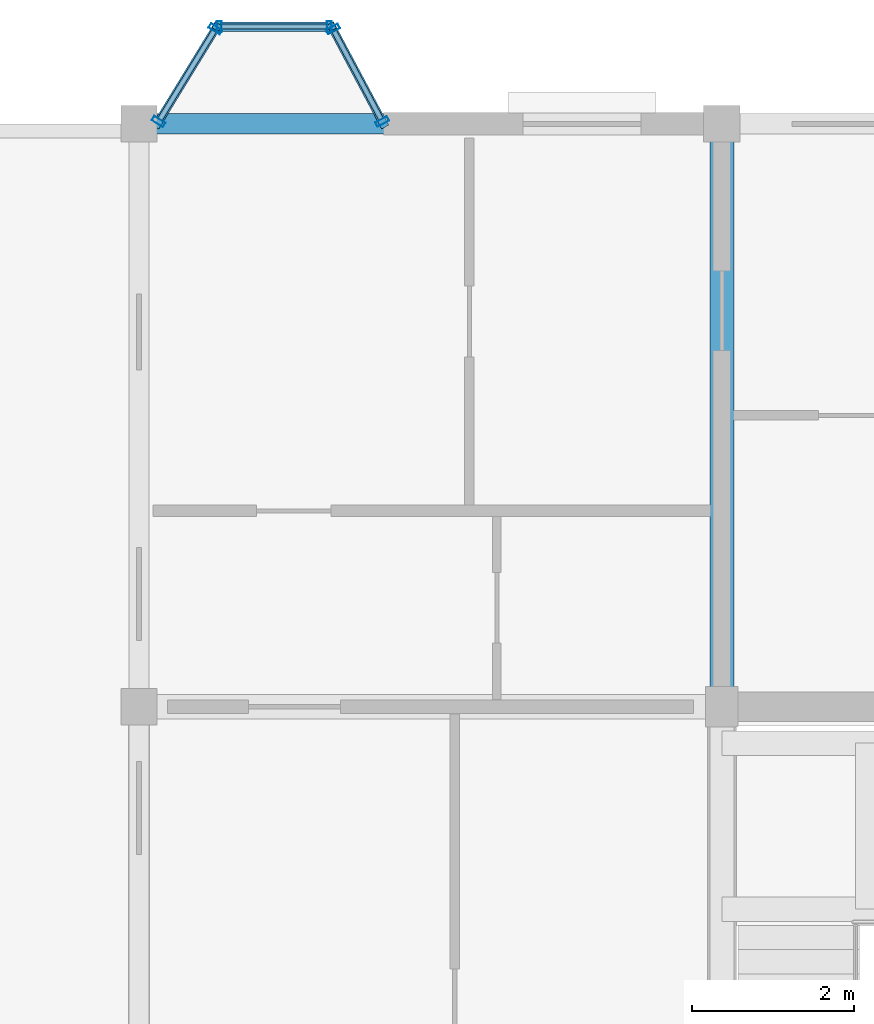
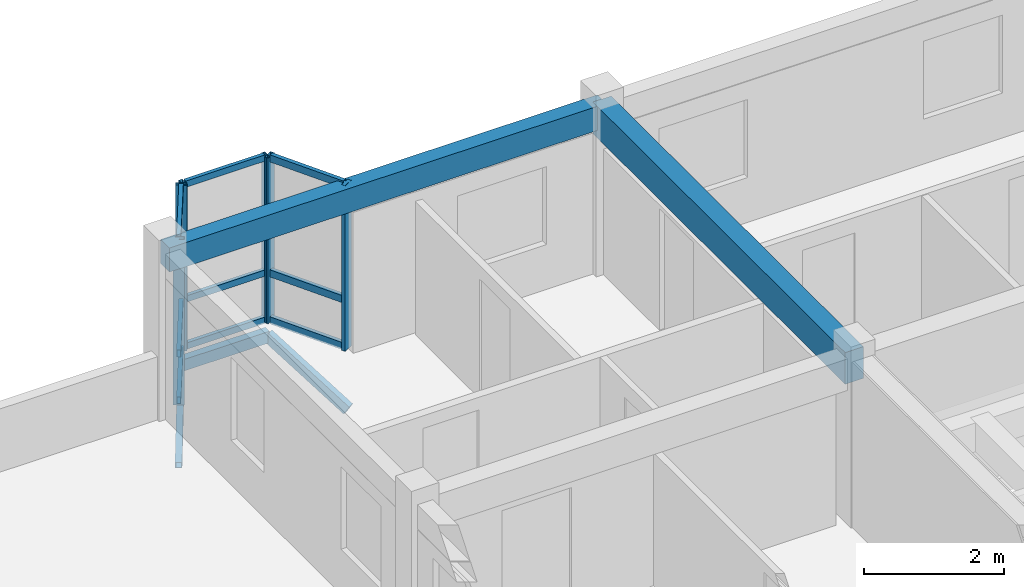
# One storey, part 18 of 40: 18 members, 2 beams, 3 elements without a shape of their own.
"""IFC4 building model written with IfcOpenShell, lengths in metres."""

from ifc_helpers import new_model, si_unit, direction, frame, origin, origin_2d, place, context, subcontext, project, spatial, rectangle, hollow_rectangle, extrude, material, layer, layer_set, material_profile, profile_set, type_object, element, aggregate, save


model = new_model("IFC4")

# Units and contexts
model_context = context("Model", 3, precision=1e-05, world=origin(), true_north=direction((0.0, 1.0)))
body_context = subcontext(model_context, "Body", "Model", "MODEL_VIEW")
ifc_project = project(units=[si_unit("LENGTHUNIT", "METRE"), si_unit("AREAUNIT", "SQUARE_METRE"), si_unit("VOLUMEUNIT", "CUBIC_METRE"), si_unit("PLANEANGLEUNIT", "RADIAN"), si_unit("MASSUNIT", "GRAM", prefix="KILO"), si_unit("THERMODYNAMICTEMPERATUREUNIT", "KELVIN"), si_unit("POWERUNIT", "WATT")], contexts=[model_context])

# Site, building, storey
site_placement = place(None, origin())
site = spatial("IfcSite", under=ifc_project, at=site_placement, CompositionType="ELEMENT")
building_placement = place(site_placement, origin())
building = spatial("IfcBuilding", under=site, at=building_placement, Name="Tavuni Mirador Residences", CompositionType="ELEMENT")
storey_placement = place(building_placement, frame((0.0, 0.0, 36.0)))
storey = spatial("IfcBuildingStorey", under=building, at=storey_placement, Name="L11", CompositionType="ELEMENT", Elevation=36.0)

# Beams
ifc_material_1 = material(Name="Precast concrete C40/50", Category="concrete")
ifc_material_profile_1 = material_profile(ifc_material_1, rectangle(XDim=0.300048828125, YDim=0.550048828125, at=origin_2d()), Name="PC 300x550", Category="concrete")
ifc_profile_set_1 = profile_set([ifc_material_profile_1], Name="Precast concrete C40/50")
beam_type_1 = type_object("IfcBeamType", Name="BT-B550", PredefinedType="BEAM", material=ifc_profile_set_1)
beam_1_placement = place(storey_placement, frame((25.199951171875, 165.60009765625, 2.610107421875), z_axis=(0.0, 1.0, 0.0), x_axis=(-1.0, 0.0, 0.0)))
element("IfcBeam", 1, at=beam_1_placement, inside=storey, type_object=beam_type_1, Name="BMY-BLK-C-L11-01-02", PredefinedType="BEAM", context=body_context, shape_type="SweptSolid", body=[
    extrude(rectangle(XDim=0.300048828125, YDim=0.550048828125, at=origin_2d()), origin(), (0.0, 0.0, 1.0), 7.199951171875),
])
ifc_material_profile_2 = material_profile(ifc_material_1, rectangle(XDim=0.25, YDim=0.419921875, at=origin_2d()), Name="PC 250x420", Category="concrete")
ifc_profile_set_2 = profile_set([ifc_material_profile_2], Name="Precast concrete C40/50")
beam_type_2 = type_object("IfcBeamType", Name="BT-SP420", PredefinedType="SPANDREL", material=ifc_profile_set_2)
beam_2_placement = place(storey_placement, frame((18.0, 172.800048828125, 2.675048828125), z_axis=(1.0, 0.0, 0.0), x_axis=(0.0, 1.0, 0.0)))
element("IfcBeam", 2, at=beam_2_placement, inside=storey, type_object=beam_type_2, Name="BMX-BLK-C-L11-00-03", PredefinedType="SPANDREL", context=body_context, shape_type="SweptSolid", body=[
    extrude(rectangle(XDim=0.25, YDim=0.419921875, at=origin_2d()), origin(), (0.0, 0.0, 1.0), 7.199951171875),
])

# Curtain wall, members
ifc_material_2 = material(Name="Anodised aluminium", Category="aluminium")
ifc_layer_1 = layer(ifc_material_2, 0.175048828125, Name="Anodised aluminium", Category="aluminium")
ifc_layer_set_1 = layer_set([ifc_layer_1], Name="Anodised aluminium")
curtain_wall_type_1 = type_object("IfcCurtainWallType", Name="CWT-MIR-C", PredefinedType="NOTDEFINED", material=ifc_layer_set_1)
curtain_wall_1_placement = place(storey_placement, origin())
curtain_wall_1 = element("IfcCurtainWall", 3, at=curtain_wall_1_placement, inside=storey, type_object=curtain_wall_type_1, Name="CW-MIR-C-N1-L11-MF", PredefinedType="NOTDEFINED")
ifc_material_profile_3 = material_profile(ifc_material_2, hollow_rectangle(XDim=0.06005859375, YDim=0.139892578125, WallThickness=0.00390625, at=origin_2d()), Name="ALU 60x140x4.0", Category="aluminium")
ifc_profile_set_3 = profile_set([ifc_material_profile_3], Name="Anodised aluminium")
member_type_1 = type_object("IfcMemberType", Name="CWM-140", PredefinedType="MULLION", material=ifc_profile_set_3)
member_1_placement = place(storey_placement, frame((20.35009765625, 174.0, 0.0), z_axis=(0.0, 0.0, 1.0), x_axis=(-1.0, 0.0, 0.0)))
member_1 = element("IfcMember", 4, at=member_1_placement, type_object=member_type_1, Name="CW-03 mullion 1", PredefinedType="MULLION", context=body_context, shape_type="SweptSolid", body=[
    extrude(hollow_rectangle(XDim=0.06005859375, YDim=0.139892578125, WallThickness=0.00390625, at=origin_2d()), origin(), (0.0, 0.0, 1.0), 2.885009765625),
])
member_2_placement = place(storey_placement, frame((18.989990234375, 174.0, 0.0), z_axis=(0.0, 0.0, 1.0), x_axis=(-1.0, 0.0, 0.0)))
member_2 = element("IfcMember", 5, at=member_2_placement, type_object=member_type_1, Name="CW-03 mullion 2", PredefinedType="MULLION", context=body_context, shape_type="SweptSolid", body=[
    extrude(hollow_rectangle(XDim=0.06005859375, YDim=0.139892578125, WallThickness=0.00390625, at=origin_2d()), origin(), (0.0, 0.0, 1.0), 2.885009765625),
])

ifc_layer_2 = layer(ifc_material_2, 0.14990234375, Name="Anodised aluminium", Category="aluminium")
ifc_layer_set_2 = layer_set([ifc_layer_2], Name="Anodised aluminium")
curtain_wall_type_2 = type_object("IfcCurtainWallType", Name="CWT-MIR-B", PredefinedType="NOTDEFINED", material=ifc_layer_set_2)
curtain_wall_2_placement = place(storey_placement, origin())
curtain_wall_2 = element("IfcCurtainWall", 6, at=curtain_wall_2_placement, inside=storey, type_object=curtain_wall_type_2, Name="CW-MIR-C-N1-L11-M1", PredefinedType="NOTDEFINED")
ifc_material_profile_4 = material_profile(ifc_material_2, hollow_rectangle(XDim=0.06494140625, YDim=0.1650390625, WallThickness=0.00439453125, at=origin_2d()), Name="ALU 65x165x4.5", Category="aluminium")
ifc_profile_set_4 = profile_set([ifc_material_profile_4], Name="Anodised aluminium")
member_type_2 = type_object("IfcMemberType", Name="CWM-165", PredefinedType="MULLION", material=ifc_profile_set_4)
member_3_placement = place(storey_placement, frame((21.004638671875, 172.82861328125, 0.0), z_axis=(0.0, 0.0, 1.0), x_axis=(-0.470588235296, 0.882352941175, 0.0)))
member_3 = element("IfcMember", 7, at=member_3_placement, type_object=member_type_2, Name="CW-02 mullion 1", PredefinedType="MULLION", context=body_context, shape_type="SweptSolid", body=[
    extrude(hollow_rectangle(XDim=0.06494140625, YDim=0.1650390625, WallThickness=0.00439453125, at=origin_2d()), origin(), (0.0, 0.0, 1.0), 2.885009765625),
])
member_4_placement = place(storey_placement, frame((20.395263671875, 173.971435546875, 0.0), z_axis=(0.0, 0.0, 1.0), x_axis=(-0.470588235296, 0.882352941175, 0.0)))
member_4 = element("IfcMember", 8, at=member_4_placement, type_object=member_type_2, Name="CW-02 mullion 2", PredefinedType="MULLION", context=body_context, shape_type="SweptSolid", body=[
    extrude(hollow_rectangle(XDim=0.06494140625, YDim=0.1650390625, WallThickness=0.00439453125, at=origin_2d()), origin(), (0.0, 0.0, 1.0), 2.885009765625),
])

ifc_layer_3 = layer(ifc_material_2, 0.159912109375, Name="Anodised aluminium", Category="aluminium")
ifc_layer_set_3 = layer_set([ifc_layer_3], Name="Anodised aluminium")
curtain_wall_type_3 = type_object("IfcCurtainWallType", Name="CWT-MIR-D", PredefinedType="NOTDEFINED", material=ifc_layer_set_3)
curtain_wall_3_placement = place(storey_placement, origin())
curtain_wall_3 = element("IfcCurtainWall", 9, at=curtain_wall_3_placement, inside=storey, type_object=curtain_wall_type_3, Name="CW-MIR-C-N1-L11-M2", PredefinedType="NOTDEFINED")
member_5_placement = place(storey_placement, frame((18.943115234375, 173.97216796875, 0.0), z_axis=(0.0, 0.0, 1.0), x_axis=(-0.522312079088, -0.852754414845, 0.0)))
member_5 = element("IfcMember", 10, at=member_5_placement, type_object=member_type_2, Name="CW-04 mullion 1", PredefinedType="MULLION", context=body_context, shape_type="SweptSolid", body=[
    extrude(hollow_rectangle(XDim=0.06494140625, YDim=0.1650390625, WallThickness=0.00439453125, at=origin_2d()), origin(), (0.0, 0.0, 1.0), 2.885009765625),
])
member_6_placement = place(storey_placement, frame((18.241943359375, 172.82763671875, 0.0), z_axis=(0.0, 0.0, 1.0), x_axis=(-0.522312079088, -0.852754414845, 0.0)))
member_6 = element("IfcMember", 11, at=member_6_placement, type_object=member_type_2, Name="CW-04 mullion 2", PredefinedType="MULLION", context=body_context, shape_type="SweptSolid", body=[
    extrude(hollow_rectangle(XDim=0.06494140625, YDim=0.1650390625, WallThickness=0.00439453125, at=origin_2d()), origin(), (0.0, 0.0, 1.0), 2.885009765625),
])

# Member
ifc_material_profile_5 = material_profile(ifc_material_2, hollow_rectangle(XDim=0.06005859375, YDim=0.110107421875, WallThickness=0.00390625, at=origin_2d()), Name="ALU 60x110x4.0", Category="aluminium")
ifc_profile_set_5 = profile_set([ifc_material_profile_5], Name="Anodised aluminium")
member_type_3 = type_object("IfcMemberType", Name="CWT-110", PredefinedType="USERDEFINED", material=ifc_profile_set_5)
member_7_placement = place(storey_placement, frame((20.320068359375, 174.0, 0.030029296875), z_axis=(-1.0, 0.0, 0.0), x_axis=(0.0, -1.0, 0.0)))
member_7 = element("IfcMember", 12, at=member_7_placement, type_object=member_type_3, Name="CW-03 transom 1.1", ObjectType="TRANSOM", PredefinedType="USERDEFINED", context=body_context, shape_type="SweptSolid", body=[
    extrude(hollow_rectangle(XDim=0.06005859375, YDim=0.110107421875, WallThickness=0.00390625, at=origin_2d()), origin(), (0.0, 0.0, 1.0), 1.300048828125),
])

member_8_placement = place(storey_placement, frame((20.320068359375, 174.0, 0.85009765625), z_axis=(-1.0, 0.0, 0.0), x_axis=(0.0, -1.0, 0.0)))
member_8 = element("IfcMember", 13, at=member_8_placement, type_object=member_type_3, Name="CW-03 transom 1.2", ObjectType="TRANSOM", PredefinedType="USERDEFINED", context=body_context, shape_type="SweptSolid", body=[
    extrude(hollow_rectangle(XDim=0.06005859375, YDim=0.110107421875, WallThickness=0.00390625, at=origin_2d()), origin(), (0.0, 0.0, 1.0), 1.300048828125),
])

member_9_placement = place(storey_placement, frame((20.320068359375, 174.0, 2.85498046875), z_axis=(-1.0, 0.0, 0.0), x_axis=(0.0, -1.0, 0.0)))
member_9 = element("IfcMember", 14, at=member_9_placement, type_object=member_type_3, Name="CW-03 transom 1.3", ObjectType="TRANSOM", PredefinedType="USERDEFINED", context=body_context, shape_type="SweptSolid", body=[
    extrude(hollow_rectangle(XDim=0.06005859375, YDim=0.110107421875, WallThickness=0.00390625, at=origin_2d()), origin(), (0.0, 0.0, 1.0), 1.300048828125),
])

aggregate(curtain_wall_1, [member_1, member_2, member_7, member_8, member_9])

ifc_material_profile_6 = material_profile(ifc_material_2, hollow_rectangle(XDim=0.06494140625, YDim=0.125, WallThickness=0.00439453125, at=origin_2d()), Name="ALU 65x125x4.5", Category="aluminium")
ifc_profile_set_6 = profile_set([ifc_material_profile_6], Name="Anodised aluminium")
member_type_4 = type_object("IfcMemberType", Name="CWT-125", PredefinedType="USERDEFINED", material=ifc_profile_set_6)
member_10_placement = place(storey_placement, frame((20.989501953125, 172.857421875, 0.032470703125), z_axis=(-0.470639747922, 0.882325465843, 0.0), x_axis=(-0.882325465843, -0.470639747922, 0.0)))
member_10 = element("IfcMember", 15, at=member_10_placement, type_object=member_type_4, Name="CW-02 transom 1.1", ObjectType="TRANSOM", PredefinedType="USERDEFINED", context=body_context, shape_type="SweptSolid", body=[
    extrude(hollow_rectangle(XDim=0.06494140625, YDim=0.125, WallThickness=0.00439453125, at=origin_2d()), origin(), (0.0, 0.0, 1.0), 1.22998046875),
])

member_11_placement = place(storey_placement, frame((20.989501953125, 172.857421875, 0.85009765625), z_axis=(-0.470639747922, 0.882325465843, 0.0), x_axis=(-0.882325465843, -0.470639747922, 0.0)))
member_11 = element("IfcMember", 16, at=member_11_placement, type_object=member_type_4, Name="CW-02 transom 1.2", ObjectType="TRANSOM", PredefinedType="USERDEFINED", context=body_context, shape_type="SweptSolid", body=[
    extrude(hollow_rectangle(XDim=0.06494140625, YDim=0.125, WallThickness=0.00439453125, at=origin_2d()), origin(), (0.0, 0.0, 1.0), 1.22998046875),
])

member_12_placement = place(storey_placement, frame((20.989501953125, 172.857421875, 2.8525390625), z_axis=(-0.470639747922, 0.882325465843, 0.0), x_axis=(-0.882325465843, -0.470639747922, 0.0)))
member_12 = element("IfcMember", 17, at=member_12_placement, type_object=member_type_4, Name="CW-02 transom 1.3", ObjectType="TRANSOM", PredefinedType="USERDEFINED", context=body_context, shape_type="SweptSolid", body=[
    extrude(hollow_rectangle(XDim=0.06494140625, YDim=0.125, WallThickness=0.00439453125, at=origin_2d()), origin(), (0.0, 0.0, 1.0), 1.22998046875),
])

aggregate(curtain_wall_2, [member_3, member_4, member_10, member_11, member_12])

member_13_placement = place(storey_placement, frame((18.926025390625, 173.944580078125, 0.032470703125), z_axis=(-0.522261685966, -0.852785278585, 0.0), x_axis=(0.852785278585, -0.522261685966, 0.0)))
member_13 = element("IfcMember", 18, at=member_13_placement, type_object=member_type_4, Name="CW-04 transom 1.1", ObjectType="TRANSOM", PredefinedType="USERDEFINED", context=body_context, shape_type="SweptSolid", body=[
    extrude(hollow_rectangle(XDim=0.06494140625, YDim=0.125, WallThickness=0.00439453125, at=origin_2d()), origin(), (0.0, 0.0, 1.0), 1.277099609375),
])

member_14_placement = place(storey_placement, frame((18.926025390625, 173.944580078125, 0.85009765625), z_axis=(-0.522261685966, -0.852785278585, 0.0), x_axis=(0.852785278585, -0.522261685966, 0.0)))
member_14 = element("IfcMember", 19, at=member_14_placement, type_object=member_type_4, Name="CW-04 transom 1.2", ObjectType="TRANSOM", PredefinedType="USERDEFINED", context=body_context, shape_type="SweptSolid", body=[
    extrude(hollow_rectangle(XDim=0.06494140625, YDim=0.125, WallThickness=0.00439453125, at=origin_2d()), origin(), (0.0, 0.0, 1.0), 1.277099609375),
])

member_15_placement = place(storey_placement, frame((18.926025390625, 173.944580078125, 2.8525390625), z_axis=(-0.522261685966, -0.852785278585, 0.0), x_axis=(0.852785278585, -0.522261685966, 0.0)))
member_15 = element("IfcMember", 20, at=member_15_placement, type_object=member_type_4, Name="CW-04 transom 1.3", ObjectType="TRANSOM", PredefinedType="USERDEFINED", context=body_context, shape_type="SweptSolid", body=[
    extrude(hollow_rectangle(XDim=0.06494140625, YDim=0.125, WallThickness=0.00439453125, at=origin_2d()), origin(), (0.0, 0.0, 1.0), 1.277099609375),
])

aggregate(curtain_wall_3, [member_5, member_6, member_13, member_14, member_15])

# Members
ifc_material_3 = material(Name="Structural steel S355", Category="steel")
ifc_material_profile_7 = material_profile(ifc_material_3, hollow_rectangle(XDim=0.10009765625, YDim=0.179931640625, WallThickness=0.008056640625, at=origin_2d()), Name="RHS 180x100x8.0", Category="steel")
ifc_profile_set_7 = profile_set([ifc_material_profile_7], Name="Structural steel S355")
member_type_5 = type_object("IfcMemberType", Name="MT-BR-RHS180", PredefinedType="BRACE", material=ifc_profile_set_7)
member_16_placement = place(storey_placement, frame((18.22509765625, 172.800048828125, -1.050048828125), z_axis=(0.456060705523, 0.744697132108, 0.487272833542), x_axis=(-0.852788223415, 0.522256877412, 0.0)))
element("IfcMember", 21, at=member_16_placement, inside=storey, type_object=member_type_5, Name="MBRK-MIR-C-N1-L11-1", PredefinedType="BRACE", context=body_context, shape_type="SweptSolid", body=[
    extrude(hollow_rectangle(XDim=0.10009765625, YDim=0.179931640625, WallThickness=0.008056640625, at=origin_2d()), origin(), (0.0, 0.0, 1.0), 1.611328125),
])
member_17_placement = place(storey_placement, frame((21.02001953125, 172.800048828125, -1.050048828125), z_axis=(-0.4076288534, 0.764109769055, 0.499974978084), x_axis=(-0.882303244255, -0.470681405175, 0.0)))
element("IfcMember", 22, at=member_17_placement, inside=storey, type_object=member_type_5, Name="MBRK-MIR-C-N1-L11-2", PredefinedType="BRACE", context=body_context, shape_type="SweptSolid", body=[
    extrude(hollow_rectangle(XDim=0.10009765625, YDim=0.179931640625, WallThickness=0.008056640625, at=origin_2d()), origin(), (0.0, 0.0, 1.0), 1.5703125),
])
ifc_material_profile_8 = material_profile(ifc_material_3, hollow_rectangle(XDim=0.1201171875, YDim=0.199951171875, WallThickness=0.010009765625, at=origin_2d()), Name="RHS 200x120x10.0", Category="steel")
ifc_profile_set_8 = profile_set([ifc_material_profile_8], Name="Structural steel S355")
member_type_6 = type_object("IfcMemberType", Name="MT-ST-RHS200", PredefinedType="STRUT", material=ifc_profile_set_8)
member_18_placement = place(storey_placement, frame((18.9599609375, 174.0, -0.264892578125), z_axis=(1.0, 0.0, 0.0), x_axis=(0.0, 1.0, 0.0)))
element("IfcMember", 23, at=member_18_placement, inside=storey, type_object=member_type_6, Name="MRIM-MIR-C-N1-L11", PredefinedType="STRUT", context=body_context, shape_type="SweptSolid", body=[
    extrude(hollow_rectangle(XDim=0.1201171875, YDim=0.199951171875, WallThickness=0.010009765625, at=origin_2d()), origin(), (0.0, 0.0, 1.0), 1.419921875),
])

save(model, "model.ifc")
